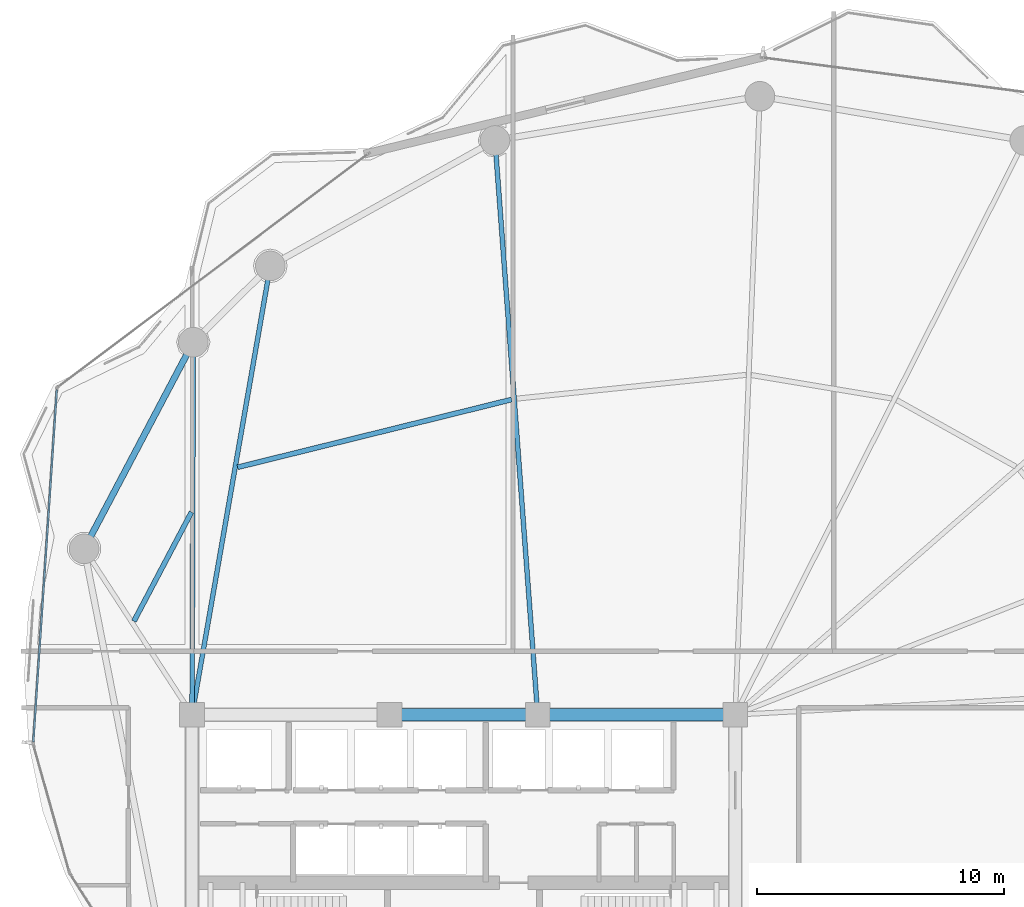
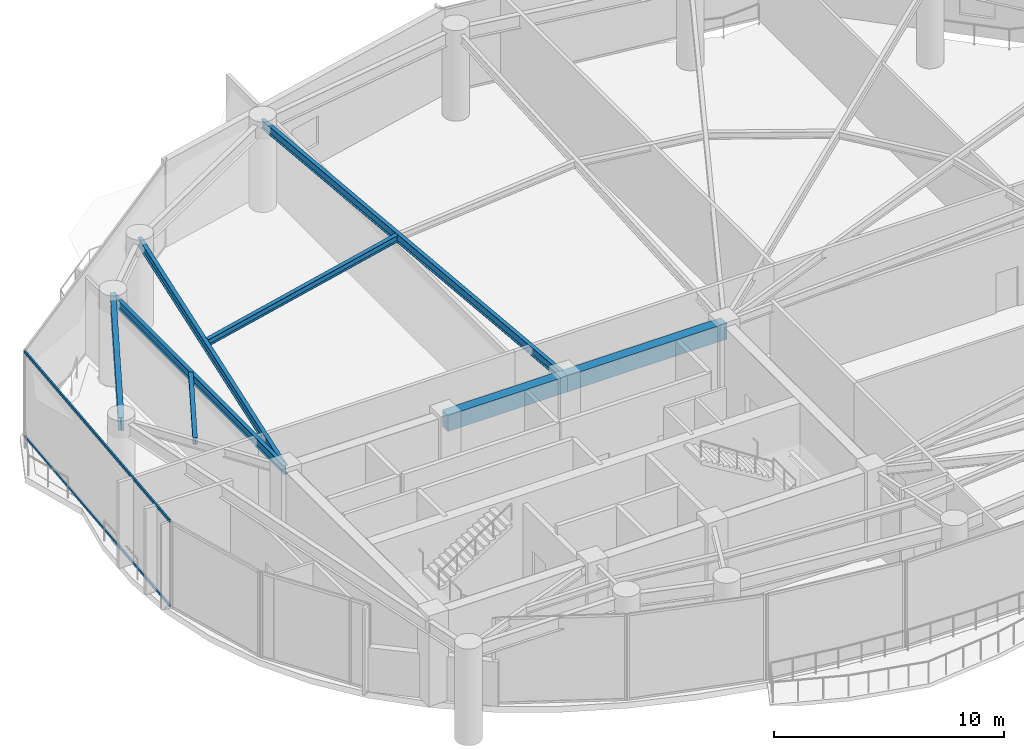
# One storey, part 8 of 30: 8 beams, 2 members, 1 element without a shape of its own.
"""IFC4 building model written with IfcOpenShell, lengths in metres."""

from ifc_helpers import new_model, si_unit, direction, frame, origin, origin_2d, place, context, subcontext, project, spatial, rectangle, hollow_rectangle, i_section, extrude, material, layer, layer_set, material_profile, profile_set, type_object, element, aggregate, save


model = new_model("IFC4")

# Units and contexts
model_context = context("Model", 3, precision=1e-05, world=origin(), true_north=direction((0.0, 1.0)))
body_context = subcontext(model_context, "Body", "Model", "MODEL_VIEW")
ifc_project = project(units=[si_unit("LENGTHUNIT", "METRE"), si_unit("AREAUNIT", "SQUARE_METRE"), si_unit("VOLUMEUNIT", "CUBIC_METRE"), si_unit("PLANEANGLEUNIT", "RADIAN"), si_unit("MASSUNIT", "GRAM", prefix="KILO")], contexts=[model_context])

# Site, building, storey
site_placement = place(None, origin())
site = spatial("IfcSite", under=ifc_project, at=site_placement, CompositionType="ELEMENT")
building_placement = place(site_placement, origin())
building = spatial("IfcBuilding", under=site, at=building_placement, Name="Kazevale Care Tower and Concert Hall", CompositionType="ELEMENT")
storey_placement = place(building_placement, frame((0.0, 0.0, 97.800048828125)))
storey = spatial("IfcBuildingStorey", under=building, at=storey_placement, Name="L25", CompositionType="ELEMENT", Elevation=97.800048828125)

# Curtain wall, members
ifc_material_1 = material(Name="Aluminium 6063-T6 and Low-E Glass", Category="aluminium")
ifc_layer = layer(ifc_material_1, 0.179931640625)
ifc_layer_set = layer_set([ifc_layer], Name="Aluminium 6063-T6 and Low-E Glass")
curtain_wall_type = type_object("IfcCurtainWallType", Name="Waist & Upper Residential Curtain Wall CW-4", PredefinedType="NOTDEFINED", material=ifc_layer_set)
curtain_wall_placement = place(storey_placement, origin())
curtain_wall = element("IfcCurtainWall", 1, at=curtain_wall_placement, inside=storey, type_object=curtain_wall_type, Name="cw:L25:f13", PredefinedType="NOTDEFINED")
ifc_material_2 = material(Name="Aluminium 6063-T6", Category="aluminium")
ifc_material_profile_1 = material_profile(ifc_material_2, hollow_rectangle(XDim=0.080078125, YDim=0.139892578125, WallThickness=0.00390625, at=origin_2d()), Name="ALU80x140x4")
ifc_profile_set_1 = profile_set([ifc_material_profile_1], Name="Aluminium 6063-T6")
member_type = type_object("IfcMemberType", Name="CW-4 Transom ALU80x140x4", PredefinedType="USERDEFINED", material=ifc_profile_set_1)
member_1_placement = place(storey_placement, frame((15.5712890625, 35.3017578125, 0.0400390625), z_axis=(0.06662329491, 0.99777820009, 0.0), x_axis=(-0.99777820009, 0.06662329491, 0.0)))
member_1 = element("IfcMember", 2, at=member_1_placement, type_object=member_type, Name="CW-4 transom 1.1", ObjectType="TRANSOM", PredefinedType="USERDEFINED", context=body_context, shape_type="SweptSolid", body=[
    extrude(hollow_rectangle(XDim=0.080078125, YDim=0.139892578125, WallThickness=0.00390625, at=origin_2d()), origin(), (0.0, 0.0, 1.0), 14.295166015625),
])
member_2_placement = place(storey_placement, frame((15.5712890625, 35.3017578125, 4.52001953125), z_axis=(0.06662329491, 0.99777820009, 0.0), x_axis=(-0.99777820009, 0.06662329491, 0.0)))
member_2 = element("IfcMember", 3, at=member_2_placement, type_object=member_type, Name="CW-4 transom 1.2", ObjectType="TRANSOM", PredefinedType="USERDEFINED", context=body_context, shape_type="SweptSolid", body=[
    extrude(hollow_rectangle(XDim=0.080078125, YDim=0.139892578125, WallThickness=0.00390625, at=origin_2d()), origin(), (0.0, 0.0, 1.0), 14.295166015625),
])
aggregate(curtain_wall, [member_1, member_2])

# Beams
ifc_material_3 = material(Name="Concrete C60", Category="concrete")
ifc_material_profile_2 = material_profile(ifc_material_3, rectangle(XDim=0.5, YDim=0.85009765625, at=origin_2d()), Name="RC-B500x850")
ifc_profile_set_2 = profile_set([ifc_material_profile_2], Name="Concrete C60")
beam_type_1 = type_object("IfcBeamType", Name="Core Coupling Beam RC500x850", PredefinedType="LINTEL", material=ifc_profile_set_2)
beam_1_placement = place(storey_placement, frame((44.0, 36.39990234375, 4.135009765625), z_axis=(-1.0, 0.0, 0.0), x_axis=(0.0, -1.0, 0.0)))
element("IfcBeam", 4, at=beam_1_placement, inside=storey, type_object=beam_type_1, Name="beam:L25:coretie:5", PredefinedType="LINTEL", context=body_context, shape_type="SweptSolid", body=[
    extrude(rectangle(XDim=0.5, YDim=0.85009765625, at=origin_2d()), origin(), (0.0, 0.0, 1.0), 8.0),
])
beam_2_placement = place(storey_placement, frame((36.0, 36.39990234375, 4.135009765625), z_axis=(-1.0, 0.0, 0.0), x_axis=(0.0, -1.0, 0.0)))
element("IfcBeam", 5, at=beam_2_placement, inside=storey, type_object=beam_type_1, Name="beam:L25:coretie:6", PredefinedType="LINTEL", context=body_context, shape_type="SweptSolid", body=[
    extrude(rectangle(XDim=0.5, YDim=0.85009765625, at=origin_2d()), origin(), (0.0, 0.0, 1.0), 6.0),
])
ifc_material_4 = material(Name="Steel ASTM A572 Gr 50", Category="steel")
ifc_material_profile_3 = material_profile(ifc_material_4, i_section(OverallWidth=0.19091796875, OverallDepth=0.4599609375, WebThickness=0.010009765625, FlangeThickness=0.01611328125, at=origin_2d()), Name="W460x82")
ifc_profile_set_3 = profile_set([ifc_material_profile_3], Name="Steel ASTM A572 Gr 50")
beam_type_2 = type_object("IfcBeamType", Name="Radial Floor Beam W460x82", PredefinedType="BEAM", material=ifc_profile_set_3)
beam_3_placement = place(storey_placement, frame((36.0, 36.39990234375, 4.329833984375), z_axis=(-0.074170876808, 0.997245547011, 0.0), x_axis=(-0.997245547011, -0.074170876808, 0.0)))
element("IfcBeam", 6, at=beam_3_placement, inside=storey, type_object=beam_type_2, Name="beam:L25:rad:06", PredefinedType="BEAM", context=body_context, shape_type="SweptSolid", body=[
    extrude(i_section(OverallWidth=0.19091796875, OverallDepth=0.4599609375, WebThickness=0.010009765625, FlangeThickness=0.01611328125, at=origin_2d()), origin(), (0.0, 0.0, 1.0), 23.32421875),
])
beam_4_placement = place(storey_placement, frame((22.0, 36.39990234375, 4.329833984375), z_axis=(0.171769935245, 0.985137091651, 0.0), x_axis=(-0.985137091651, 0.171769935245, 0.0)))
element("IfcBeam", 7, at=beam_4_placement, inside=storey, type_object=beam_type_2, Name="beam:L25:rad:07", PredefinedType="BEAM", context=body_context, shape_type="SweptSolid", body=[
    extrude(i_section(OverallWidth=0.19091796875, OverallDepth=0.4599609375, WebThickness=0.010009765625, FlangeThickness=0.01611328125, at=origin_2d()), origin(), (0.0, 0.0, 1.0), 18.454345703125),
])
beam_5_placement = place(storey_placement, frame((22.0, 36.39990234375, 4.329833984375), z_axis=(0.003316650851, 0.999994499898, 0.0), x_axis=(-0.999994499898, 0.003316650851, 0.0)))
element("IfcBeam", 8, at=beam_5_placement, inside=storey, type_object=beam_type_2, Name="beam:L25:rad:08", PredefinedType="BEAM", context=body_context, shape_type="SweptSolid", body=[
    extrude(i_section(OverallWidth=0.19091796875, OverallDepth=0.4599609375, WebThickness=0.010009765625, FlangeThickness=0.01611328125, at=origin_2d()), origin(), (0.0, 0.0, 1.0), 15.090087890625),
])
ifc_material_profile_4 = material_profile(ifc_material_4, i_section(OverallWidth=0.205078125, OverallDepth=0.35400390625, WebThickness=0.009521484375, FlangeThickness=0.016845703125, at=origin_2d()), Name="W360x79")
ifc_profile_set_4 = profile_set([ifc_material_profile_4], Name="Steel ASTM A572 Gr 50")
beam_type_3 = type_object("IfcBeamType", Name="Secondary Floor Joist W360x79", PredefinedType="JOIST", material=ifc_profile_set_4)
beam_6_placement = place(storey_placement, frame((34.947021484375, 49.16796875, 4.383056640625), z_axis=(-0.970789504014, -0.239932779954, 0.0), x_axis=(0.239932779954, -0.970789504014, 0.0)))
element("IfcBeam", 9, at=beam_6_placement, inside=storey, type_object=beam_type_3, Name="beam:L25:joist:06", PredefinedType="JOIST", context=body_context, shape_type="SweptSolid", body=[
    extrude(i_section(OverallWidth=0.205078125, OverallDepth=0.35400390625, WebThickness=0.009521484375, FlangeThickness=0.016845703125, at=origin_2d()), origin(), (0.0, 0.0, 1.0), 11.43603515625),
])
beam_7_placement = place(storey_placement, frame((21.97802734375, 44.60693359375, 4.383056640625), z_axis=(-0.466809583155, -0.884357853515, 0.0), x_axis=(0.884357853515, -0.466809583155, 0.0)))
element("IfcBeam", 10, at=beam_7_placement, inside=storey, type_object=beam_type_3, Name="beam:L25:joist:08", PredefinedType="JOIST", context=body_context, shape_type="SweptSolid", body=[
    extrude(i_section(OverallWidth=0.205078125, OverallDepth=0.35400390625, WebThickness=0.009521484375, FlangeThickness=0.016845703125, at=origin_2d()), origin(), (0.0, 0.0, 1.0), 4.99560546875),
])
ifc_material_profile_5 = material_profile(ifc_material_4, i_section(OverallWidth=0.256103515625, OverallDepth=0.693115234375, WebThickness=0.014404296875, FlangeThickness=0.023681640625, at=origin_2d()), Name="W690x170")
ifc_profile_set_5 = profile_set([ifc_material_profile_5], Name="Steel ASTM A572 Gr 50")
beam_type_4 = type_object("IfcBeamType", Name="Waist Ring Beam W690x170", PredefinedType="BEAM", material=ifc_profile_set_5)
beam_8_placement = place(storey_placement, frame((22.050048828125, 51.489990234375, 4.21337890625), z_axis=(-0.466984438127, -0.884265533959, 0.0), x_axis=(0.884265533959, -0.466984438127, 0.0)))
element("IfcBeam", 11, at=beam_8_placement, inside=storey, type_object=beam_type_4, Name="beam:L25:ring:08", PredefinedType="BEAM", context=body_context, shape_type="SweptSolid", body=[
    extrude(i_section(OverallWidth=0.256103515625, OverallDepth=0.693115234375, WebThickness=0.014404296875, FlangeThickness=0.023681640625, at=origin_2d()), origin(), (0.0, 0.0, 1.0), 9.46533203125),
])

save(model, "model.ifc")
